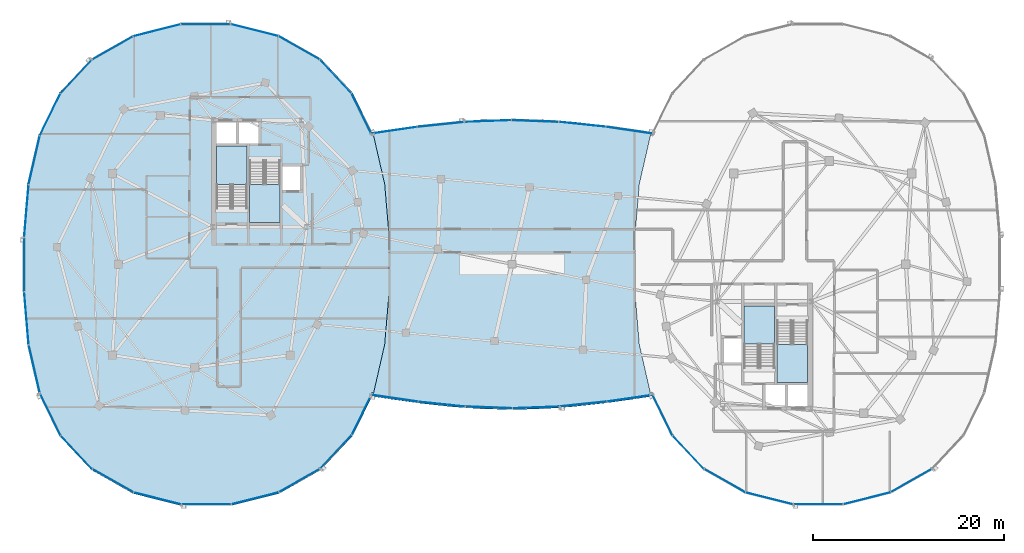
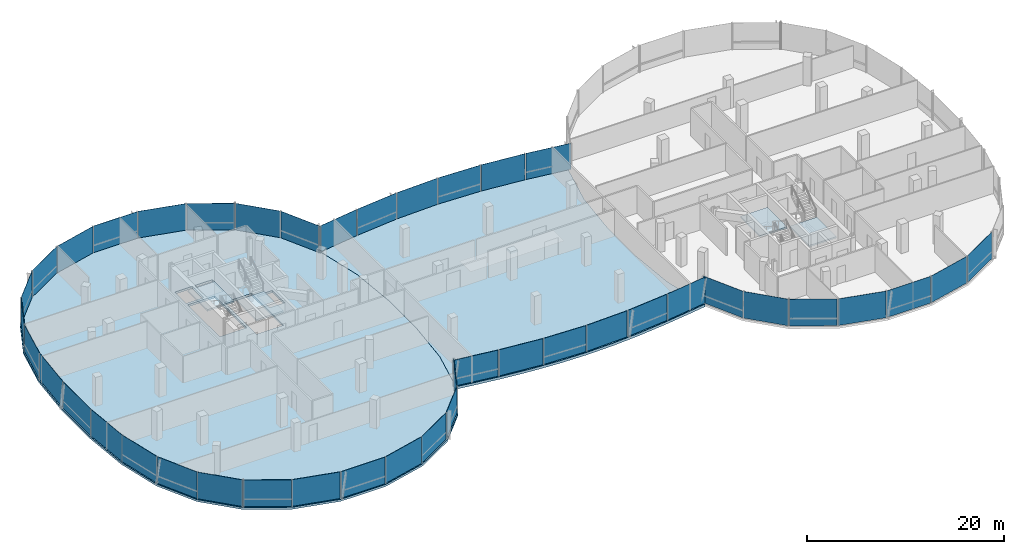
# One storey, part 12 of 26: 42 plates, 6 slabs, 11 elements without a shape of their own.
"""IFC4 building model written with IfcOpenShell, lengths in metres."""

from ifc_helpers import new_model, si_unit, direction, frame, origin, origin_2d, place, context, subcontext, project, spatial, polyline, rectangle, outline, extrude, material, layer, layer_set, type_object, element, aggregate, save


model = new_model("IFC4")

# Units and contexts
model_context = context("Model", 3, precision=1e-05, world=origin(), true_north=direction((0.0, 1.0)))
body_context = subcontext(model_context, "Body", "Model", "MODEL_VIEW")
ifc_project = project(units=[si_unit("LENGTHUNIT", "METRE"), si_unit("AREAUNIT", "SQUARE_METRE"), si_unit("VOLUMEUNIT", "CUBIC_METRE"), si_unit("PLANEANGLEUNIT", "RADIAN"), si_unit("MASSUNIT", "GRAM", prefix="KILO"), si_unit("THERMODYNAMICTEMPERATUREUNIT", "KELVIN"), si_unit("POWERUNIT", "WATT")], contexts=[model_context])

# Site, building, storey
site_placement = place(None, origin())
site = spatial("IfcSite", under=ifc_project, at=site_placement, CompositionType="ELEMENT")
building_placement = place(site_placement, origin())
building = spatial("IfcBuilding", under=site, at=building_placement, Name="Cundina Bronze Exchange", CompositionType="ELEMENT")
storey_placement = place(building_placement, frame((0.0, 0.0, 264.800048828125)))
storey = spatial("IfcBuildingStorey", under=building, at=storey_placement, Name="L70", CompositionType="ELEMENT", Elevation=264.800048828125)

# Curtain wall, plates
ifc_material_1 = material(Name="Anodised Bronze Aluminium 6063-T6", Category="aluminium")
curtain_wall_type = type_object("IfcCurtainWallType", Name="CWS-SKG-BRG", PredefinedType="NOTDEFINED", material=ifc_material_1)
curtain_wall_1_placement = place(storey_placement, origin())
curtain_wall_1 = element("IfcCurtainWall", 1, at=curtain_wall_1_placement, inside=storey, type_object=curtain_wall_type, Name="L70 CW-06 Curtain Wall Run CWR-L70-W1", PredefinedType="NOTDEFINED")
ifc_material_2 = material(Name="Heat-Strengthened Solar-Control Bronze Safety Glass 28mm", Category="glass")
ifc_layer_1 = layer(ifc_material_2, 0.028076171875, Name="Heat-Strengthened Solar-Control Bronze Safety Glass 28mm", Category="glass")
ifc_layer_set_1 = layer_set([ifc_layer_1], Name="Heat-Strengthened Solar-Control Bronze Safety Glass 28mm")
plate_type_1 = type_object("IfcPlateType", Name="PLT-GLZ-VIS28", PredefinedType="CURTAIN_PANEL", material=ifc_layer_set_1)
plate_1_placement = place(storey_placement, frame((-15.69873046875, 15.68017578125, 0.02001953125), z_axis=(0.0, 0.0, 1.0), x_axis=(-0.440503330345, 0.897750976582, 0.0)))
plate_1 = element("IfcPlate", 2, at=plate_1_placement, type_object=plate_type_1, Name="CW-06 Glazed Panel 1", PredefinedType="CURTAIN_PANEL", context=body_context, shape_type="SweptSolid", body=[
    extrude(rectangle(XDim=4.863525390625, YDim=0.028076171875, at=origin_2d()), origin(), (0.0, 0.0, 1.0), 3.300048828125),
])
plate_2_placement = place(storey_placement, frame((-18.431884765625, 19.64501953125, 0.02001953125), z_axis=(0.0, 0.0, 1.0), x_axis=(-0.684343512797, 0.72915976061, 0.0)))
plate_2 = element("IfcPlate", 3, at=plate_2_placement, type_object=plate_type_1, Name="CW-06 Glazed Panel 2", PredefinedType="CURTAIN_PANEL", context=body_context, shape_type="SweptSolid", body=[
    extrude(rectangle(XDim=4.773193359375, YDim=0.028076171875, at=origin_2d()), origin(), (0.0, 0.0, 1.0), 3.300048828125),
])
plate_3_placement = place(storey_placement, frame((-22.23828125, 22.6279296875, 0.02001953125), z_axis=(0.0, 0.0, 1.0), x_axis=(-0.869572506985, 0.493805280547, 0.0)))
plate_3 = element("IfcPlate", 4, at=plate_3_placement, type_object=plate_type_1, Name="CW-06 Glazed Panel 3", PredefinedType="CURTAIN_PANEL", context=body_context, shape_type="SweptSolid", body=[
    extrude(rectangle(XDim=4.907958984375, YDim=0.028076171875, at=origin_2d()), origin(), (0.0, 0.0, 1.0), 3.300048828125),
])
plate_4_placement = place(storey_placement, frame((-26.890625, 24.4814453125, 0.02001953125), z_axis=(0.0, 0.0, 1.0), x_axis=(-0.969731542251, 0.244173577528, 0.0)))
plate_4 = element("IfcPlate", 5, at=plate_4_placement, type_object=plate_type_1, Name="CW-06 Glazed Panel 4", PredefinedType="CURTAIN_PANEL", context=body_context, shape_type="SweptSolid", body=[
    extrude(rectangle(XDim=5.0908203125, YDim=0.028076171875, at=origin_2d()), origin(), (0.0, 0.0, 1.0), 3.300048828125),
])
plate_5_placement = place(storey_placement, frame((-37.109375, 24.4814453125, 0.02001953125), z_axis=(0.0, 0.0, 1.0), x_axis=(-0.969731542251, -0.244173577528, 0.0)))
plate_5 = element("IfcPlate", 6, at=plate_5_placement, type_object=plate_type_1, Name="CW-06 Glazed Panel 6", PredefinedType="CURTAIN_PANEL", context=body_context, shape_type="SweptSolid", body=[
    extrude(rectangle(XDim=5.0908203125, YDim=0.028076171875, at=origin_2d()), origin(), (0.0, 0.0, 1.0), 3.300048828125),
])
plate_6_placement = place(storey_placement, frame((-41.76171875, 22.6279296875, 0.02001953125), z_axis=(0.0, 0.0, 1.0), x_axis=(-0.869572506985, -0.493805280547, 0.0)))
plate_6 = element("IfcPlate", 7, at=plate_6_placement, type_object=plate_type_1, Name="CW-06 Glazed Panel 7", PredefinedType="CURTAIN_PANEL", context=body_context, shape_type="SweptSolid", body=[
    extrude(rectangle(XDim=4.907958984375, YDim=0.028076171875, at=origin_2d()), origin(), (0.0, 0.0, 1.0), 3.300048828125),
])

curtain_wall_2_placement = place(storey_placement, origin())
curtain_wall_2 = element("IfcCurtainWall", 8, at=curtain_wall_2_placement, inside=storey, type_object=curtain_wall_type, Name="L70 CW-06 Curtain Wall Run CWR-L70-W2", PredefinedType="NOTDEFINED")
plate_7_placement = place(storey_placement, frame((-45.568115234375, 19.64501953125, 0.02001953125), z_axis=(0.0, 0.0, 1.0), x_axis=(-0.684343512797, -0.72915976061, 0.0)))
plate_7 = element("IfcPlate", 9, at=plate_7_placement, type_object=plate_type_1, Name="CW-06 Glazed Panel 1", PredefinedType="CURTAIN_PANEL", context=body_context, shape_type="SweptSolid", body=[
    extrude(rectangle(XDim=4.773193359375, YDim=0.028076171875, at=origin_2d()), origin(), (0.0, 0.0, 1.0), 3.300048828125),
])
plate_8_placement = place(storey_placement, frame((-48.30126953125, 15.68017578125, 0.02001953125), z_axis=(0.0, 0.0, 1.0), x_axis=(-0.440503330345, -0.897750976582, 0.0)))
plate_8 = element("IfcPlate", 10, at=plate_8_placement, type_object=plate_type_1, Name="CW-06 Glazed Panel 2", PredefinedType="CURTAIN_PANEL", context=body_context, shape_type="SweptSolid", body=[
    extrude(rectangle(XDim=4.863525390625, YDim=0.028076171875, at=origin_2d()), origin(), (0.0, 0.0, 1.0), 3.300048828125),
])
plate_9_placement = place(storey_placement, frame((-49.96923828125, 10.922607421875, 0.02001953125), z_axis=(0.0, 0.0, 1.0), x_axis=(-0.223284141459, -0.974753400698, 0.0)))
plate_9 = element("IfcPlate", 11, at=plate_9_placement, type_object=plate_type_1, Name="CW-06 Glazed Panel 3", PredefinedType="CURTAIN_PANEL", context=body_context, shape_type="SweptSolid", body=[
    extrude(rectangle(XDim=5.167724609375, YDim=0.028076171875, at=origin_2d()), origin(), (0.0, 0.0, 1.0), 3.300048828125),
])
plate_10_placement = place(storey_placement, frame((-51.01904296875, 0.0, 0.02001953125), z_axis=(0.0, 0.0, 1.0), x_axis=(0.0, -1.0, 0.0)))
plate_10 = element("IfcPlate", 12, at=plate_10_placement, type_object=plate_type_1, Name="CW-06 Glazed Panel 5", PredefinedType="CURTAIN_PANEL", context=body_context, shape_type="SweptSolid", body=[
    extrude(rectangle(XDim=5.597900390625, YDim=0.028076171875, at=origin_2d()), origin(), (0.0, 0.0, 1.0), 3.300048828125),
])
plate_11_placement = place(storey_placement, frame((-50.78662109375, -5.605712890625, 0.02001953125), z_axis=(0.0, 0.0, 1.0), x_axis=(0.083747411454, -0.996487015006, 0.0)))
plate_11 = element("IfcPlate", 13, at=plate_11_placement, type_object=plate_type_1, Name="CW-06 Glazed Panel 6", PredefinedType="CURTAIN_PANEL", context=body_context, shape_type="SweptSolid", body=[
    extrude(rectangle(XDim=5.474609375, YDim=0.028076171875, at=origin_2d()), origin(), (0.0, 0.0, 1.0), 3.300048828125),
])
plate_12_placement = place(storey_placement, frame((-49.96923828125, -10.922607421875, 0.02001953125), z_axis=(0.0, 0.0, 1.0), x_axis=(0.223284141459, -0.974753400698, 0.0)))
plate_12 = element("IfcPlate", 14, at=plate_12_placement, type_object=plate_type_1, Name="CW-06 Glazed Panel 7", PredefinedType="CURTAIN_PANEL", context=body_context, shape_type="SweptSolid", body=[
    extrude(rectangle(XDim=5.167724609375, YDim=0.028076171875, at=origin_2d()), origin(), (0.0, 0.0, 1.0), 3.300048828125),
])

curtain_wall_3_placement = place(storey_placement, origin())
curtain_wall_3 = element("IfcCurtainWall", 15, at=curtain_wall_3_placement, inside=storey, type_object=curtain_wall_type, Name="L70 CW-06 Curtain Wall Run CWR-L70-W3", PredefinedType="NOTDEFINED")
plate_13_placement = place(storey_placement, frame((-48.30126953125, -15.68017578125, 0.02001953125), z_axis=(0.0, 0.0, 1.0), x_axis=(0.440503330345, -0.897750976582, 0.0)))
plate_13 = element("IfcPlate", 16, at=plate_13_placement, type_object=plate_type_1, Name="CW-06 Glazed Panel 1", PredefinedType="CURTAIN_PANEL", context=body_context, shape_type="SweptSolid", body=[
    extrude(rectangle(XDim=4.863525390625, YDim=0.028076171875, at=origin_2d()), origin(), (0.0, 0.0, 1.0), 3.300048828125),
])
plate_14_placement = place(storey_placement, frame((-45.568115234375, -19.64501953125, 0.02001953125), z_axis=(0.0, 0.0, 1.0), x_axis=(0.684343512797, -0.72915976061, 0.0)))
plate_14 = element("IfcPlate", 17, at=plate_14_placement, type_object=plate_type_1, Name="CW-06 Glazed Panel 2", PredefinedType="CURTAIN_PANEL", context=body_context, shape_type="SweptSolid", body=[
    extrude(rectangle(XDim=4.773193359375, YDim=0.028076171875, at=origin_2d()), origin(), (0.0, 0.0, 1.0), 3.300048828125),
])
plate_15_placement = place(storey_placement, frame((-37.109375, -24.4814453125, 0.02001953125), z_axis=(0.0, 0.0, 1.0), x_axis=(0.969731542251, -0.244173577528, 0.0)))
plate_15 = element("IfcPlate", 18, at=plate_15_placement, type_object=plate_type_1, Name="CW-06 Glazed Panel 4", PredefinedType="CURTAIN_PANEL", context=body_context, shape_type="SweptSolid", body=[
    extrude(rectangle(XDim=5.0908203125, YDim=0.028076171875, at=origin_2d()), origin(), (0.0, 0.0, 1.0), 3.300048828125),
])
plate_16_placement = place(storey_placement, frame((-32.0, -25.110107421875, 0.02001953125), z_axis=(0.0, 0.0, 1.0), x_axis=(1.0, 0.0, 0.0)))
plate_16 = element("IfcPlate", 19, at=plate_16_placement, type_object=plate_type_1, Name="CW-06 Glazed Panel 5", PredefinedType="CURTAIN_PANEL", context=body_context, shape_type="SweptSolid", body=[
    extrude(rectangle(XDim=5.16796875, YDim=0.028076171875, at=origin_2d()), origin(), (0.0, 0.0, 1.0), 3.300048828125),
])
plate_17_placement = place(storey_placement, frame((-26.890625, -24.4814453125, 0.02001953125), z_axis=(0.0, 0.0, 1.0), x_axis=(0.969731542251, 0.244173577528, 0.0)))
plate_17 = element("IfcPlate", 20, at=plate_17_placement, type_object=plate_type_1, Name="CW-06 Glazed Panel 6", PredefinedType="CURTAIN_PANEL", context=body_context, shape_type="SweptSolid", body=[
    extrude(rectangle(XDim=5.0908203125, YDim=0.028076171875, at=origin_2d()), origin(), (0.0, 0.0, 1.0), 3.300048828125),
])
plate_18_placement = place(storey_placement, frame((-22.23828125, -22.6279296875, 0.02001953125), z_axis=(0.0, 0.0, 1.0), x_axis=(0.869572506985, 0.493805280547, 0.0)))
plate_18 = element("IfcPlate", 21, at=plate_18_placement, type_object=plate_type_1, Name="CW-06 Glazed Panel 7", PredefinedType="CURTAIN_PANEL", context=body_context, shape_type="SweptSolid", body=[
    extrude(rectangle(XDim=4.907958984375, YDim=0.028076171875, at=origin_2d()), origin(), (0.0, 0.0, 1.0), 3.300048828125),
])

# Curtain wall, plate
curtain_wall_4_placement = place(storey_placement, origin())
curtain_wall_4 = element("IfcCurtainWall", 22, at=curtain_wall_4_placement, inside=storey, type_object=curtain_wall_type, Name="L70 CW-06 Curtain Wall Run CWR-L70-W4", PredefinedType="NOTDEFINED")
plate_19_placement = place(storey_placement, frame((-18.431884765625, -19.64501953125, 0.02001953125), z_axis=(0.0, 0.0, 1.0), x_axis=(0.684343512797, 0.72915976061, 0.0)))
plate_19 = element("IfcPlate", 23, at=plate_19_placement, type_object=plate_type_1, Name="CW-06 Glazed Panel 1", PredefinedType="CURTAIN_PANEL", context=body_context, shape_type="SweptSolid", body=[
    extrude(rectangle(XDim=4.773193359375, YDim=0.028076171875, at=origin_2d()), origin(), (0.0, 0.0, 1.0), 3.300048828125),
])

# Curtain wall, plates
curtain_wall_5_placement = place(storey_placement, origin())
curtain_wall_5 = element("IfcCurtainWall", 24, at=curtain_wall_5_placement, inside=storey, type_object=curtain_wall_type, Name="L70 CW-06 Curtain Wall Run CWR-L70-E3", PredefinedType="NOTDEFINED")
plate_20_placement = place(storey_placement, frame((15.69873046875, -15.68017578125, 0.02001953125), z_axis=(0.0, 0.0, 1.0), x_axis=(0.440503330345, -0.897750976582, 0.0)))
plate_20 = element("IfcPlate", 25, at=plate_20_placement, type_object=plate_type_1, Name="CW-06 Glazed Panel 1", PredefinedType="CURTAIN_PANEL", context=body_context, shape_type="SweptSolid", body=[
    extrude(rectangle(XDim=4.863525390625, YDim=0.028076171875, at=origin_2d()), origin(), (0.0, 0.0, 1.0), 3.300048828125),
])
plate_21_placement = place(storey_placement, frame((18.431884765625, -19.64501953125, 0.02001953125), z_axis=(0.0, 0.0, 1.0), x_axis=(0.684343512797, -0.72915976061, 0.0)))
plate_21 = element("IfcPlate", 26, at=plate_21_placement, type_object=plate_type_1, Name="CW-06 Glazed Panel 2", PredefinedType="CURTAIN_PANEL", context=body_context, shape_type="SweptSolid", body=[
    extrude(rectangle(XDim=4.773193359375, YDim=0.028076171875, at=origin_2d()), origin(), (0.0, 0.0, 1.0), 3.300048828125),
])
plate_22_placement = place(storey_placement, frame((26.890625, -24.4814453125, 0.02001953125), z_axis=(0.0, 0.0, 1.0), x_axis=(0.969731542251, -0.244173577528, 0.0)))
plate_22 = element("IfcPlate", 27, at=plate_22_placement, type_object=plate_type_1, Name="CW-06 Glazed Panel 4", PredefinedType="CURTAIN_PANEL", context=body_context, shape_type="SweptSolid", body=[
    extrude(rectangle(XDim=5.0908203125, YDim=0.028076171875, at=origin_2d()), origin(), (0.0, 0.0, 1.0), 3.300048828125),
])
plate_23_placement = place(storey_placement, frame((32.0, -25.110107421875, 0.02001953125), z_axis=(0.0, 0.0, 1.0), x_axis=(1.0, 0.0, 0.0)))
plate_23 = element("IfcPlate", 28, at=plate_23_placement, type_object=plate_type_1, Name="CW-06 Glazed Panel 5", PredefinedType="CURTAIN_PANEL", context=body_context, shape_type="SweptSolid", body=[
    extrude(rectangle(XDim=5.16796875, YDim=0.028076171875, at=origin_2d()), origin(), (0.0, 0.0, 1.0), 3.300048828125),
])
plate_24_placement = place(storey_placement, frame((37.109375, -24.4814453125, 0.02001953125), z_axis=(0.0, 0.0, 1.0), x_axis=(0.969731542251, 0.244173577528, 0.0)))
plate_24 = element("IfcPlate", 29, at=plate_24_placement, type_object=plate_type_1, Name="CW-06 Glazed Panel 6", PredefinedType="CURTAIN_PANEL", context=body_context, shape_type="SweptSolid", body=[
    extrude(rectangle(XDim=5.0908203125, YDim=0.028076171875, at=origin_2d()), origin(), (0.0, 0.0, 1.0), 3.300048828125),
])
plate_25_placement = place(storey_placement, frame((41.76171875, -22.6279296875, 0.02001953125), z_axis=(0.0, 0.0, 1.0), x_axis=(0.869572506985, 0.493805280547, 0.0)))
plate_25 = element("IfcPlate", 30, at=plate_25_placement, type_object=plate_type_1, Name="CW-06 Glazed Panel 7", PredefinedType="CURTAIN_PANEL", context=body_context, shape_type="SweptSolid", body=[
    extrude(rectangle(XDim=4.907958984375, YDim=0.028076171875, at=origin_2d()), origin(), (0.0, 0.0, 1.0), 3.300048828125),
])

curtain_wall_6_placement = place(storey_placement, origin())
curtain_wall_6 = element("IfcCurtainWall", 31, at=curtain_wall_6_placement, inside=storey, type_object=curtain_wall_type, Name="L70 CW-06 Curtain Wall Run CWR-L70-BRGS", PredefinedType="NOTDEFINED")
plate_26_placement = place(storey_placement, frame((-7.41162109375, -14.629150390625, 0.02001953125), z_axis=(0.0, 0.0, 1.0), x_axis=(0.994672274174, -0.103087666525, 0.0)))
plate_26 = element("IfcPlate", 32, at=plate_26_placement, type_object=plate_type_1, Name="CW-06 Glazed Panel 2", PredefinedType="CURTAIN_PANEL", context=body_context, shape_type="SweptSolid", body=[
    extrude(rectangle(XDim=4.886474609375, YDim=0.028076171875, at=origin_2d()), origin(), (0.0, 0.0, 1.0), 3.239990234375),
])
plate_27_placement = place(storey_placement, frame((-2.47021484375, -14.9775390625, 0.02001953125), z_axis=(0.0, 0.0, 1.0), x_axis=(0.999302568116, -0.037341362551, 0.0)))
plate_27 = element("IfcPlate", 33, at=plate_27_placement, type_object=plate_type_1, Name="CW-06 Glazed Panel 3", PredefinedType="CURTAIN_PANEL", context=body_context, shape_type="SweptSolid", body=[
    extrude(rectangle(XDim=4.863525390625, YDim=0.028076171875, at=origin_2d()), origin(), (0.0, 0.0, 1.0), 3.239990234375),
])
plate_28_placement = place(storey_placement, frame((2.47021484375, -14.9775390625, 0.02001953125), z_axis=(0.0, 0.0, 1.0), x_axis=(0.999302568116, 0.037341362551, 0.0)))
plate_28 = element("IfcPlate", 34, at=plate_28_placement, type_object=plate_type_1, Name="CW-06 Glazed Panel 4", PredefinedType="CURTAIN_PANEL", context=body_context, shape_type="SweptSolid", body=[
    extrude(rectangle(XDim=4.863525390625, YDim=0.028076171875, at=origin_2d()), origin(), (0.0, 0.0, 1.0), 3.239990234375),
])
plate_29_placement = place(storey_placement, frame((7.41162109375, -14.629150390625, 0.02001953125), z_axis=(0.0, 0.0, 1.0), x_axis=(0.994672274174, 0.103087666525, 0.0)))
plate_29 = element("IfcPlate", 35, at=plate_29_placement, type_object=plate_type_1, Name="CW-06 Glazed Panel 5", PredefinedType="CURTAIN_PANEL", context=body_context, shape_type="SweptSolid", body=[
    extrude(rectangle(XDim=4.886474609375, YDim=0.028076171875, at=origin_2d()), origin(), (0.0, 0.0, 1.0), 3.239990234375),
])

curtain_wall_7_placement = place(storey_placement, origin())
curtain_wall_7 = element("IfcCurtainWall", 36, at=curtain_wall_7_placement, inside=storey, type_object=curtain_wall_type, Name="L70 CW-06 Curtain Wall Run CWR-L70-BRGN", PredefinedType="NOTDEFINED")
plate_30_placement = place(storey_placement, frame((12.356201171875, 14.012451171875, 0.02001953125), z_axis=(0.0, 0.0, 1.0), x_axis=(-0.989528308409, 0.144338930496, 0.0)))
plate_30 = element("IfcPlate", 37, at=plate_30_placement, type_object=plate_type_1, Name="CW-06 Glazed Panel 1", PredefinedType="CURTAIN_PANEL", context=body_context, shape_type="SweptSolid", body=[
    extrude(rectangle(XDim=4.912353515625, YDim=0.028076171875, at=origin_2d()), origin(), (0.0, 0.0, 1.0), 3.239990234375),
])
plate_31_placement = place(storey_placement, frame((7.41162109375, 14.629150390625, 0.02001953125), z_axis=(0.0, 0.0, 1.0), x_axis=(-0.994672274174, 0.103087666525, 0.0)))
plate_31 = element("IfcPlate", 38, at=plate_31_placement, type_object=plate_type_1, Name="CW-06 Glazed Panel 2", PredefinedType="CURTAIN_PANEL", context=body_context, shape_type="SweptSolid", body=[
    extrude(rectangle(XDim=4.886474609375, YDim=0.028076171875, at=origin_2d()), origin(), (0.0, 0.0, 1.0), 3.239990234375),
])
plate_32_placement = place(storey_placement, frame((-2.47021484375, 14.9775390625, 0.02001953125), z_axis=(0.0, 0.0, 1.0), x_axis=(-0.999302568116, -0.037341362551, 0.0)))
plate_32 = element("IfcPlate", 39, at=plate_32_placement, type_object=plate_type_1, Name="CW-06 Glazed Panel 4", PredefinedType="CURTAIN_PANEL", context=body_context, shape_type="SweptSolid", body=[
    extrude(rectangle(XDim=4.863525390625, YDim=0.028076171875, at=origin_2d()), origin(), (0.0, 0.0, 1.0), 3.239990234375),
])
plate_33_placement = place(storey_placement, frame((-7.41162109375, 14.629150390625, 0.02001953125), z_axis=(0.0, 0.0, 1.0), x_axis=(-0.994672274174, -0.103087666525, 0.0)))
plate_33 = element("IfcPlate", 40, at=plate_33_placement, type_object=plate_type_1, Name="CW-06 Glazed Panel 5", PredefinedType="CURTAIN_PANEL", context=body_context, shape_type="SweptSolid", body=[
    extrude(rectangle(XDim=4.886474609375, YDim=0.028076171875, at=origin_2d()), origin(), (0.0, 0.0, 1.0), 3.239990234375),
])
plate_34_placement = place(storey_placement, frame((-12.356201171875, 14.012451171875, 0.02001953125), z_axis=(0.0, 0.0, 1.0), x_axis=(-0.989528308409, -0.144338930496, 0.0)))
plate_34 = element("IfcPlate", 41, at=plate_34_placement, type_object=plate_type_1, Name="CW-06 Glazed Panel 6", PredefinedType="CURTAIN_PANEL", context=body_context, shape_type="SweptSolid", body=[
    extrude(rectangle(XDim=4.912353515625, YDim=0.028076171875, at=origin_2d()), origin(), (0.0, 0.0, 1.0), 3.239990234375),
])

# Plate
ifc_material_3 = material(Name="Dark Bronze Spandrel Glass Panel 32mm", Category="glass")
ifc_layer_2 = layer(ifc_material_3, 0.031982421875, Name="Dark Bronze Spandrel Glass Panel 32mm", Category="glass")
ifc_layer_set_2 = layer_set([ifc_layer_2], Name="Dark Bronze Spandrel Glass Panel 32mm")
plate_type_2 = type_object("IfcPlateType", Name="PLT-SPN-BRZ32", PredefinedType="CURTAIN_PANEL", material=ifc_layer_set_2)
plate_35_placement = place(storey_placement, frame((-32.0, 25.110107421875, 0.02001953125), z_axis=(0.0, 0.0, 1.0), x_axis=(-1.0, 0.0, 0.0)))
plate_35 = element("IfcPlate", 42, at=plate_35_placement, type_object=plate_type_2, Name="CW-06 Glazed Panel 5", PredefinedType="CURTAIN_PANEL", context=body_context, shape_type="SweptSolid", body=[
    extrude(rectangle(XDim=5.16796875, YDim=0.031982421875, at=origin_2d()), origin(), (0.0, 0.0, 1.0), 3.300048828125),
])

aggregate(curtain_wall_1, [plate_1, plate_2, plate_3, plate_4, plate_35, plate_5, plate_6])

plate_36_placement = place(storey_placement, frame((-50.78662109375, 5.605712890625, 0.02001953125), z_axis=(0.0, 0.0, 1.0), x_axis=(-0.083747411454, -0.996487015006, 0.0)))
plate_36 = element("IfcPlate", 43, at=plate_36_placement, type_object=plate_type_2, Name="CW-06 Glazed Panel 4", PredefinedType="CURTAIN_PANEL", context=body_context, shape_type="SweptSolid", body=[
    extrude(rectangle(XDim=5.474609375, YDim=0.031982421875, at=origin_2d()), origin(), (0.0, 0.0, 1.0), 3.300048828125),
])

aggregate(curtain_wall_2, [plate_7, plate_8, plate_9, plate_36, plate_10, plate_11, plate_12])

plate_37_placement = place(storey_placement, frame((-41.76171875, -22.6279296875, 0.02001953125), z_axis=(0.0, 0.0, 1.0), x_axis=(0.869572506985, -0.493805280547, 0.0)))
plate_37 = element("IfcPlate", 44, at=plate_37_placement, type_object=plate_type_2, Name="CW-06 Glazed Panel 3", PredefinedType="CURTAIN_PANEL", context=body_context, shape_type="SweptSolid", body=[
    extrude(rectangle(XDim=4.907958984375, YDim=0.031982421875, at=origin_2d()), origin(), (0.0, 0.0, 1.0), 3.300048828125),
])

aggregate(curtain_wall_3, [plate_13, plate_14, plate_37, plate_15, plate_16, plate_17, plate_18])

plate_38_placement = place(storey_placement, frame((-15.69873046875, -15.68017578125, 0.02001953125), z_axis=(0.0, 0.0, 1.0), x_axis=(0.440503330345, 0.897750976582, 0.0)))
plate_38 = element("IfcPlate", 45, at=plate_38_placement, type_object=plate_type_2, Name="CW-06 Glazed Panel 2", PredefinedType="CURTAIN_PANEL", context=body_context, shape_type="SweptSolid", body=[
    extrude(rectangle(XDim=4.863525390625, YDim=0.031982421875, at=origin_2d()), origin(), (0.0, 0.0, 1.0), 3.300048828125),
])

aggregate(curtain_wall_4, [plate_19, plate_38])

plate_39_placement = place(storey_placement, frame((22.23828125, -22.6279296875, 0.02001953125), z_axis=(0.0, 0.0, 1.0), x_axis=(0.869572506985, -0.493805280547, 0.0)))
plate_39 = element("IfcPlate", 46, at=plate_39_placement, type_object=plate_type_2, Name="CW-06 Glazed Panel 3", PredefinedType="CURTAIN_PANEL", context=body_context, shape_type="SweptSolid", body=[
    extrude(rectangle(XDim=4.907958984375, YDim=0.031982421875, at=origin_2d()), origin(), (0.0, 0.0, 1.0), 3.300048828125),
])

aggregate(curtain_wall_5, [plate_20, plate_21, plate_39, plate_22, plate_23, plate_24, plate_25])

plate_40_placement = place(storey_placement, frame((-12.356201171875, -14.012451171875, 0.02001953125), z_axis=(0.0, 0.0, 1.0), x_axis=(0.989528308409, -0.144338930496, 0.0)))
plate_40 = element("IfcPlate", 47, at=plate_40_placement, type_object=plate_type_2, Name="CW-06 Glazed Panel 1", PredefinedType="CURTAIN_PANEL", context=body_context, shape_type="SweptSolid", body=[
    extrude(rectangle(XDim=4.912353515625, YDim=0.031982421875, at=origin_2d()), origin(), (0.0, 0.0, 1.0), 3.239990234375),
])

plate_41_placement = place(storey_placement, frame((12.356201171875, -14.012451171875, 0.02001953125), z_axis=(0.0, 0.0, 1.0), x_axis=(0.989528308409, 0.144338930496, 0.0)))
plate_41 = element("IfcPlate", 48, at=plate_41_placement, type_object=plate_type_2, Name="CW-06 Glazed Panel 6", PredefinedType="CURTAIN_PANEL", context=body_context, shape_type="SweptSolid", body=[
    extrude(rectangle(XDim=4.912353515625, YDim=0.031982421875, at=origin_2d()), origin(), (0.0, 0.0, 1.0), 3.239990234375),
])

aggregate(curtain_wall_6, [plate_40, plate_26, plate_27, plate_28, plate_29, plate_41])

plate_42_placement = place(storey_placement, frame((2.47021484375, 14.9775390625, 0.02001953125), z_axis=(0.0, 0.0, 1.0), x_axis=(-0.999302568116, 0.037341362551, 0.0)))
plate_42 = element("IfcPlate", 49, at=plate_42_placement, type_object=plate_type_2, Name="CW-06 Glazed Panel 3", PredefinedType="CURTAIN_PANEL", context=body_context, shape_type="SweptSolid", body=[
    extrude(rectangle(XDim=4.863525390625, YDim=0.031982421875, at=origin_2d()), origin(), (0.0, 0.0, 1.0), 3.239990234375),
])

aggregate(curtain_wall_7, [plate_30, plate_31, plate_42, plate_32, plate_33, plate_34])

# Slab
ifc_material_4 = material(Name="Concrete C50/60", Category="concrete")
ifc_layer_3 = layer(ifc_material_4, 0.320068359375, Name="Concrete C50/60", Category="concrete")
ifc_layer_set_3 = layer_set([ifc_layer_3], Name="Concrete C50/60")
slab_type_1 = type_object("IfcSlabType", Name="SLB-BRG-320", PredefinedType="FLOOR", material=ifc_layer_set_3)
slab_1_placement = place(storey_placement, frame((0.0, 0.0, -0.320068359375)))
element("IfcSlab", 50, at=slab_1_placement, inside=storey, type_object=slab_type_1, Name="L70 Sky-Gate Bridge Deck Slab", PredefinedType="FLOOR", context=body_context, shape_type="SweptSolid", body=[
    extrude(outline(polyline([(12.800048828125, -14.093994140625), (9.60009765625, -14.5400390625), (6.39990234375, -14.89404296875), (3.199951171875, -15.1220703125), (0.0, -15.199951171875), (-3.199951171875, -15.1220703125), (-6.39990234375, -14.89404296875), (-9.60009765625, -14.5400390625), (-12.800048828125, -14.093994140625), (-14.634033203125, -13.81103515625), (-14.489013671875, -13.514892578125), (-14.489013671875, -13.514892578125), (-14.489013671875, -13.513916015625), (-13.31494140625, -8.388916015625), (-13.31494140625, -8.388916015625), (-12.84912109375, -2.843994140625), (-12.84912109375, -2.843994140625), (-12.84912109375, 2.843994140625), (-12.84912109375, 2.843994140625), (-13.31494140625, 8.388916015625), (-13.31494140625, 8.388916015625), (-14.489013671875, 13.513916015625), (-14.489013671875, 13.514892578125), (-14.489013671875, 13.514892578125), (-14.634033203125, 13.81103515625), (-12.800048828125, 14.093994140625), (-9.60009765625, 14.5400390625), (-6.39990234375, 14.89404296875), (-3.199951171875, 15.1220703125), (0.0, 15.199951171875), (3.199951171875, 15.1220703125), (6.39990234375, 14.89404296875), (9.60009765625, 14.5400390625), (12.800048828125, 14.093994140625), (14.634033203125, 13.81103515625), (14.489013671875, 13.514892578125), (14.489013671875, 13.514892578125), (14.489013671875, 13.513916015625), (13.31494140625, 8.388916015625), (13.31494140625, 8.388916015625), (12.84912109375, 2.843994140625), (12.84912109375, 2.843994140625), (12.84912109375, -2.843994140625), (12.84912109375, -2.843994140625), (13.31494140625, -8.388916015625), (13.31494140625, -8.388916015625), (14.489013671875, -13.513916015625), (14.489013671875, -13.514892578125), (14.489013671875, -13.514892578125), (14.634033203125, -13.81103515625), (12.800048828125, -14.093994140625)])), origin(), (0.0, 0.0, 1.0), 0.320068359375),
])

# Stair, slab
ifc_material_5 = material(Name="Concrete C40/50", Category="concrete")
stair_type = type_object("IfcStairType", Name="STR-OFF-360", PredefinedType="HALF_TURN_STAIR", material=ifc_material_5)
stair_1_placement = place(storey_placement, origin())
stair_1 = element("IfcStair", 51, at=stair_1_placement, inside=storey, type_object=stair_type, Name="L70 Smokeproof Exit Stair W1", PredefinedType="HALF_TURN_STAIR")
ifc_layer_4 = layer(ifc_material_5, 0.199951171875, Name="Concrete C40/50", Category="concrete")
ifc_layer_set_4 = layer_set([ifc_layer_4], Name="Concrete C40/50")
slab_type_2 = type_object("IfcSlabType", Name="SLB-LND-200", PredefinedType="LANDING", material=ifc_layer_set_4)
slab_2_placement = place(storey_placement, frame((0.0, 0.0, 1.599853515625)))
slab_2 = element("IfcSlab", 52, at=slab_2_placement, type_object=slab_type_2, Name="ST-W1 landing 1", PredefinedType="LANDING", context=body_context, shape_type="SweptSolid", body=[
    extrude(outline(polyline([(-27.739990234375, 8.3701171875), (-27.739990234375, 12.35009765625), (-30.89990234375, 12.35009765625), (-30.89990234375, 8.3701171875), (-27.739990234375, 8.3701171875)])), origin(), (0.0, 0.0, 1.0), 0.2001953125),
])
aggregate(stair_1, [slab_2])

stair_2_placement = place(storey_placement, origin())
stair_2 = element("IfcStair", 53, at=stair_2_placement, inside=storey, type_object=stair_type, Name="L70 Smokeproof Exit Stair W2", PredefinedType="HALF_TURN_STAIR")
slab_3_placement = place(storey_placement, frame((0.0, 0.0, 1.599853515625)))
slab_3 = element("IfcSlab", 54, at=slab_3_placement, type_object=slab_type_2, Name="ST-W2 landing 1", PredefinedType="LANDING", context=body_context, shape_type="SweptSolid", body=[
    extrude(outline(polyline([(-27.43994140625, 8.330078125), (-27.43994140625, 4.35009765625), (-24.280029296875, 4.35009765625), (-24.280029296875, 8.330078125), (-27.43994140625, 8.330078125)])), origin(), (0.0, 0.0, 1.0), 0.2001953125),
])
aggregate(stair_2, [slab_3])

stair_3_placement = place(storey_placement, origin())
stair_3 = element("IfcStair", 55, at=stair_3_placement, inside=storey, type_object=stair_type, Name="L70 Smokeproof Exit Stair E1", PredefinedType="HALF_TURN_STAIR")
slab_4_placement = place(storey_placement, frame((0.0, 0.0, 1.599853515625)))
slab_4 = element("IfcSlab", 56, at=slab_4_placement, type_object=slab_type_2, Name="ST-E1 landing 1", PredefinedType="LANDING", context=body_context, shape_type="SweptSolid", body=[
    extrude(outline(polyline([(27.739990234375, -8.3701171875), (27.739990234375, -12.35009765625), (30.89990234375, -12.35009765625), (30.89990234375, -8.3701171875), (27.739990234375, -8.3701171875)])), origin(), (0.0, 0.0, 1.0), 0.2001953125),
])
aggregate(stair_3, [slab_4])

stair_4_placement = place(storey_placement, origin())
stair_4 = element("IfcStair", 57, at=stair_4_placement, inside=storey, type_object=stair_type, Name="L70 Smokeproof Exit Stair E2", PredefinedType="HALF_TURN_STAIR")
slab_5_placement = place(storey_placement, frame((0.0, 0.0, 1.599853515625)))
slab_5 = element("IfcSlab", 58, at=slab_5_placement, type_object=slab_type_2, Name="ST-E2 landing 1", PredefinedType="LANDING", context=body_context, shape_type="SweptSolid", body=[
    extrude(outline(polyline([(27.43994140625, -8.330078125), (27.43994140625, -4.35009765625), (24.280029296875, -4.35009765625), (24.280029296875, -8.330078125), (27.43994140625, -8.330078125)])), origin(), (0.0, 0.0, 1.0), 0.2001953125),
])
aggregate(stair_4, [slab_5])

# Slab
ifc_layer_5 = layer(ifc_material_4, 0.260009765625, Name="Concrete C50/60", Category="concrete")
ifc_layer_set_5 = layer_set([ifc_layer_5], Name="Concrete C50/60")
slab_type_3 = type_object("IfcSlabType", Name="SLB-OFF-260", PredefinedType="FLOOR", material=ifc_layer_set_5)
slab_6_placement = place(storey_placement, frame((0.0, 0.0, -0.260009765625)))
element("IfcSlab", 59, at=slab_6_placement, inside=storey, type_object=slab_type_3, Name="L70 Leg W Structural Floor Slab", PredefinedType="FLOOR", context=body_context, shape_type="SweptSolid", body=[
    extrude(outline(polyline([(-12.85107421875, 2.843994140625), (-13.31689453125, 8.388916015625), (-14.490966796875, 13.513916015625), (-16.673095703125, 17.9609375), (-20.0009765625, 21.507080078125), (-24.346923828125, 23.97509765625), (-29.37109375, 25.239990234375), (-34.62890625, 25.239990234375), (-39.653076171875, 23.97509765625), (-43.9990234375, 21.507080078125), (-47.326904296875, 17.9609375), (-49.509033203125, 13.513916015625), (-50.68310546875, 8.388916015625), (-51.14892578125, 2.843994140625), (-51.14892578125, -2.843994140625), (-50.68310546875, -8.388916015625), (-49.509033203125, -13.513916015625), (-47.326904296875, -17.9609375), (-43.9990234375, -21.507080078125), (-39.653076171875, -23.97509765625), (-34.62890625, -25.239990234375), (-29.37109375, -25.239990234375), (-24.346923828125, -23.97509765625), (-20.0009765625, -21.507080078125), (-16.673095703125, -17.9609375), (-14.490966796875, -13.513916015625), (-13.31689453125, -8.388916015625), (-12.85107421875, -2.843994140625), (-12.85107421875, 2.843994140625)]), holes=[polyline([(-27.739990234375, 5.85009765625), (-27.739990234375, 12.35009765625), (-30.89990234375, 12.35009765625), (-30.89990234375, 5.85009765625), (-27.739990234375, 5.85009765625)]), polyline([(-27.43994140625, 10.85009765625), (-27.43994140625, 4.35009765625), (-24.280029296875, 4.35009765625), (-24.280029296875, 10.85009765625), (-27.43994140625, 10.85009765625)]), polyline([(-23.97998046875, 10.25), (-22.179931640625, 10.25), (-22.179931640625, 7.75), (-23.97998046875, 7.75), (-23.97998046875, 10.25)]), polyline([(-30.89990234375, 14.949951171875), (-28.85009765625, 14.949951171875), (-28.85009765625, 12.64990234375), (-30.89990234375, 12.64990234375), (-30.89990234375, 14.949951171875)]), polyline([(-28.550048828125, 14.949951171875), (-26.5, 14.949951171875), (-26.5, 12.64990234375), (-28.550048828125, 12.64990234375), (-28.550048828125, 14.949951171875)])]), origin(), (0.0, 0.0, 1.0), 0.260009765625),
])

save(model, "model.ifc")
